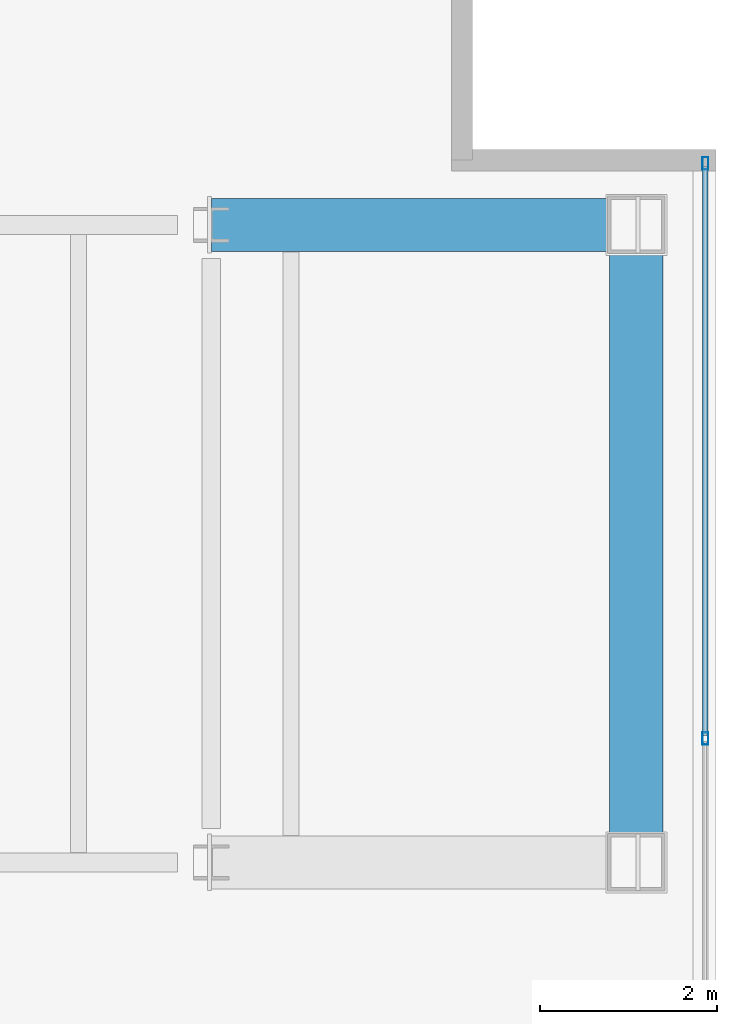
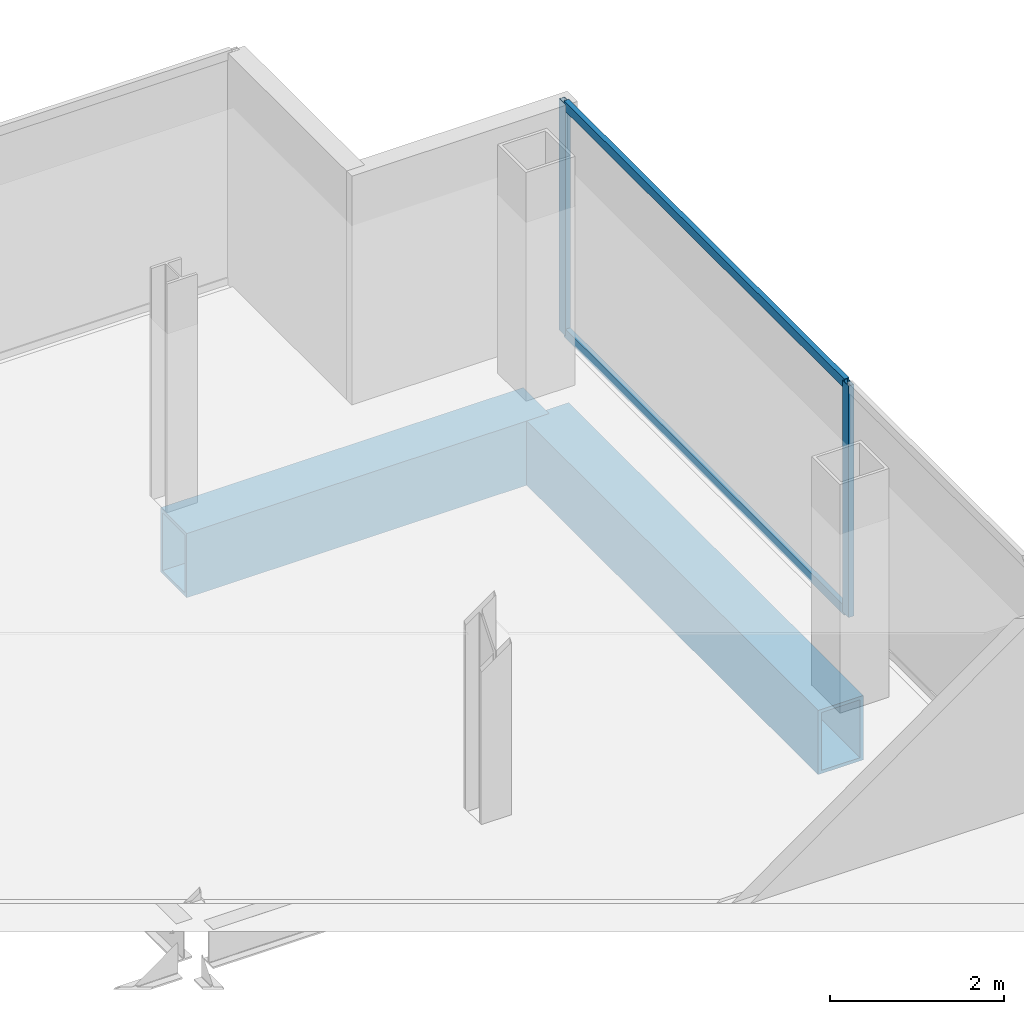
# One storey, part 16 of 24: 4 members, 2 beams, 1 element without a shape of its own.
"""IFC4 building model written with IfcOpenShell, lengths in metres."""

from ifc_helpers import new_model, si_unit, direction, frame, origin, origin_2d, place, context, subcontext, project, spatial, hollow_rectangle, extrude, material, material_profile, profile_set, type_object, element, aggregate, save


model = new_model("IFC4")

# Units and contexts
model_context = context("Model", 3, precision=1e-05, world=origin(), true_north=direction((0.0, 1.0)))
body_context = subcontext(model_context, "Body", "Model", "MODEL_VIEW")
ifc_project = project(units=[si_unit("LENGTHUNIT", "METRE"), si_unit("AREAUNIT", "SQUARE_METRE"), si_unit("VOLUMEUNIT", "CUBIC_METRE"), si_unit("PLANEANGLEUNIT", "RADIAN"), si_unit("MASSUNIT", "GRAM", prefix="KILO")], contexts=[model_context])

# Site, building, storey
site_placement = place(None, origin())
site = spatial("IfcSite", under=ifc_project, at=site_placement, CompositionType="ELEMENT")
building_placement = place(site_placement, origin())
building = spatial("IfcBuilding", under=site, at=building_placement, Name="Cobrela Telecom Tower", CompositionType="ELEMENT")
storey_placement = place(building_placement, frame((0.0, 0.0, 241.14990234375)))
storey = spatial("IfcBuildingStorey", under=building, at=storey_placement, Name="L62", CompositionType="ELEMENT", Elevation=241.14990234375)

# Beams
ifc_material_1 = material(Name="Steel ASTM A572 Grade 50", Category="steel")
ifc_material_profile_1 = material_profile(ifc_material_1, hollow_rectangle(XDim=0.60009765625, YDim=0.89990234375, WallThickness=0.044921875, at=origin_2d()), Name="BOX 900x600x45")
ifc_profile_set_1 = profile_set([ifc_material_profile_1], Name="Steel ASTM A572 Grade 50")
beam_type = type_object("IfcBeamType", Name="BM-TRG-900", PredefinedType="USERDEFINED", material=ifc_profile_set_1)
beam_1_placement = place(storey_placement, frame((44.699951171875, 14.6201171875, -0.7099609375), z_axis=(0.0, 1.0, 0.0), x_axis=(-1.0, 0.0, 0.0)))
element("IfcBeam", 1, at=beam_1_placement, inside=storey, type_object=beam_type, Name="L62 Block-4 Cantilever Perimeter Tie Girder", ObjectType="GIRDER", PredefinedType="USERDEFINED", context=body_context, shape_type="SweptSolid", body=[
    extrude(hollow_rectangle(XDim=0.60009765625, YDim=0.89990234375, WallThickness=0.044921875, at=origin_2d()), origin(), (0.0, 0.0, 1.0), 6.759765625),
])
beam_2_placement = place(storey_placement, frame((39.89990234375, 21.60009765625, -0.7099609375), z_axis=(1.0, 0.0, 0.0), x_axis=(0.0, 1.0, 0.0)))
element("IfcBeam", 2, at=beam_2_placement, inside=storey, type_object=beam_type, Name="L62 Block-4 Outward Cantilever Transfer Box Girder 2", ObjectType="GIRDER", PredefinedType="USERDEFINED", context=body_context, shape_type="SweptSolid", body=[
    extrude(hollow_rectangle(XDim=0.60009765625, YDim=0.89990234375, WallThickness=0.044921875, at=origin_2d()), origin(), (0.0, 0.0, 1.0), 4.800048828125),
])

# Curtain wall, members
ifc_material_2 = material(Name="Anodized Bronze Aluminium 6063-T6", Category="aluminium")
curtain_wall_type = type_object("IfcCurtainWallType", Name="CW-SYS-OFF-HI", PredefinedType="USERDEFINED", material=ifc_material_2)
curtain_wall_placement = place(storey_placement, origin())
curtain_wall = element("IfcCurtainWall", 3, at=curtain_wall_placement, inside=storey, type_object=curtain_wall_type, Name="L62 Unitised Bronze Curtain Wall 12", ObjectType="UNITISED CURTAIN WALL", PredefinedType="USERDEFINED")
ifc_material_profile_2 = material_profile(ifc_material_2, hollow_rectangle(XDim=0.070068359375, YDim=0.139892578125, WallThickness=0.00390625, at=origin_2d()), Name="ALU 70x140x4")
ifc_profile_set_2 = profile_set([ifc_material_profile_2], Name="Anodized Bronze Aluminium 6063-T6")
member_type_1 = type_object("IfcMemberType", Name="CW-SYS-OFF-HI-MUL", PredefinedType="MULLION", material=ifc_profile_set_2)
member_1_placement = place(storey_placement, frame((45.47998046875, 22.294921875, 0.0), z_axis=(0.0, 0.0, 1.0), x_axis=(1.0, 0.0, 0.0)))
member_1 = element("IfcMember", 4, at=member_1_placement, type_object=member_type_1, Name="CW-OFF-HI mullion 1", PredefinedType="MULLION", context=body_context, shape_type="SweptSolid", body=[
    extrude(hollow_rectangle(XDim=0.070068359375, YDim=0.139892578125, WallThickness=0.00390625, at=origin_2d()), origin(), (0.0, 0.0, 1.0), 3.239990234375),
])
member_2_placement = place(storey_placement, frame((45.47998046875, 15.800048828125, 0.0), z_axis=(0.0, 0.0, 1.0), x_axis=(1.0, 0.0, 0.0)))
member_2 = element("IfcMember", 5, at=member_2_placement, type_object=member_type_1, Name="CW-OFF-HI mullion 2", PredefinedType="MULLION", context=body_context, shape_type="SweptSolid", body=[
    extrude(hollow_rectangle(XDim=0.070068359375, YDim=0.139892578125, WallThickness=0.00390625, at=origin_2d()), origin(), (0.0, 0.0, 1.0), 3.239990234375),
])
ifc_material_profile_3 = material_profile(ifc_material_2, hollow_rectangle(XDim=0.06494140625, YDim=0.1298828125, WallThickness=0.00390625, at=origin_2d()), Name="ALU 65x130x4")
ifc_profile_set_3 = profile_set([ifc_material_profile_3], Name="Anodized Bronze Aluminium 6063-T6")
member_type_2 = type_object("IfcMemberType", Name="CW-SYS-OFF-HI-TRN", PredefinedType="USERDEFINED", material=ifc_profile_set_3)
member_3_placement = place(storey_placement, frame((45.47998046875, 22.260009765625, 0.03271484375), z_axis=(0.0, -1.0, 0.0), x_axis=(1.0, 0.0, 0.0)))
member_3 = element("IfcMember", 6, at=member_3_placement, type_object=member_type_2, Name="CW-OFF-HI transom 1.1", ObjectType="TRANSOM", PredefinedType="USERDEFINED", context=body_context, shape_type="SweptSolid", body=[
    extrude(hollow_rectangle(XDim=0.06494140625, YDim=0.1298828125, WallThickness=0.00390625, at=origin_2d()), origin(), (0.0, 0.0, 1.0), 6.425048828125),
])
member_4_placement = place(storey_placement, frame((45.47998046875, 22.260009765625, 3.20751953125), z_axis=(0.0, -1.0, 0.0), x_axis=(1.0, 0.0, 0.0)))
member_4 = element("IfcMember", 7, at=member_4_placement, type_object=member_type_2, Name="CW-OFF-HI transom 1.2", ObjectType="TRANSOM", PredefinedType="USERDEFINED", context=body_context, shape_type="SweptSolid", body=[
    extrude(hollow_rectangle(XDim=0.06494140625, YDim=0.1298828125, WallThickness=0.00390625, at=origin_2d()), origin(), (0.0, 0.0, 1.0), 6.425048828125),
])
aggregate(curtain_wall, [member_1, member_2, member_3, member_4])

save(model, "model.ifc")
